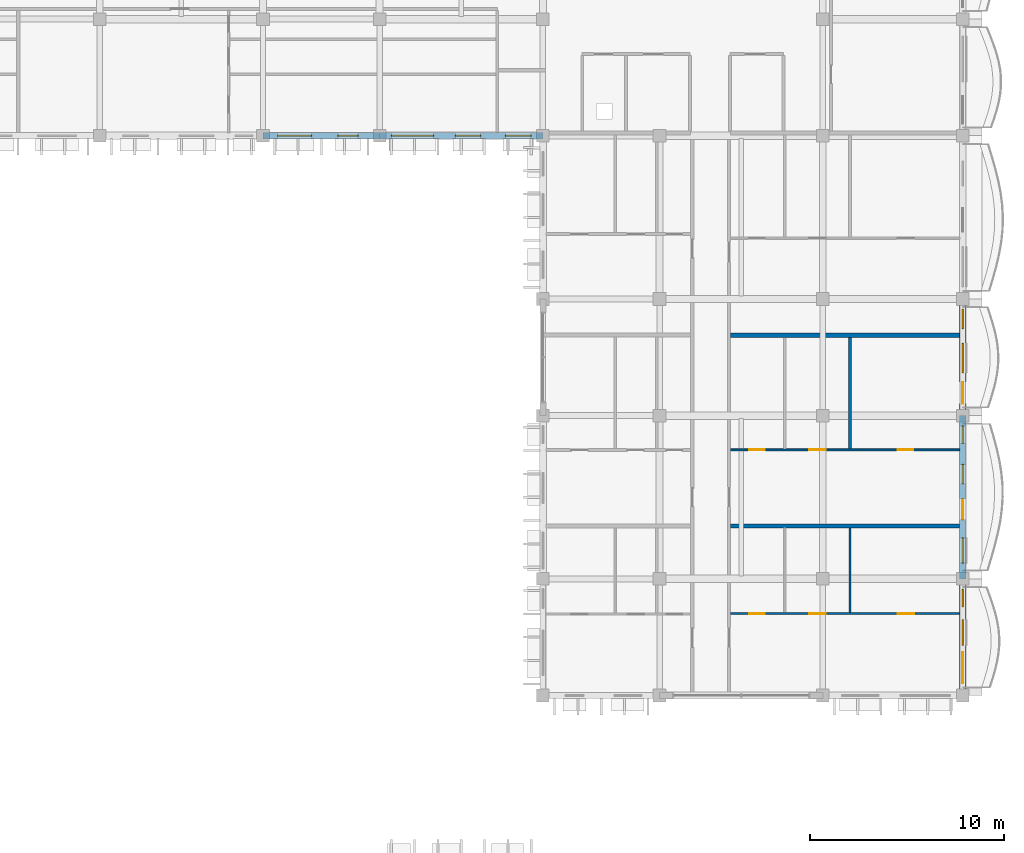
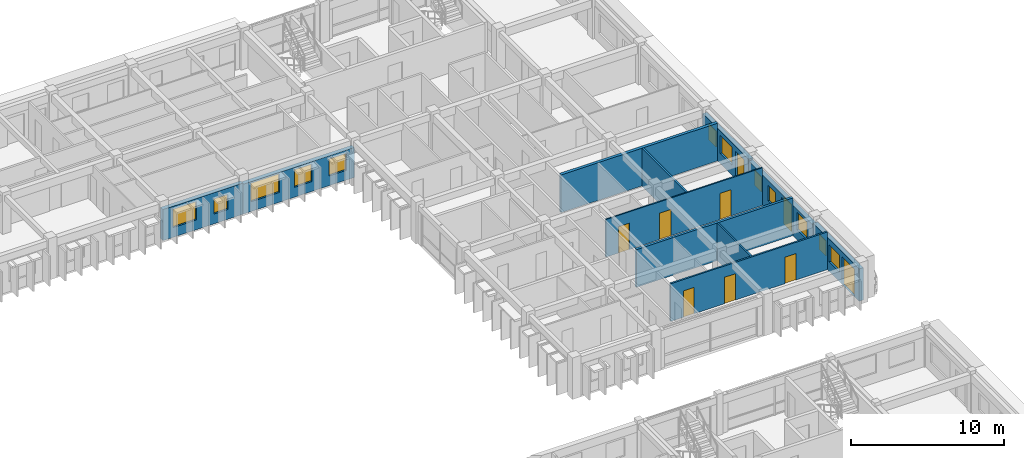
# One storey, part 44 of 76: 12 windows, 11 walls, 9 doors, 21 openings.
"""IFC4 building model written with IfcOpenShell, lengths in metres."""

from ifc_helpers import new_model, si_unit, direction, frame, frame_2d, origin, place, context, subcontext, project, spatial, rectangle, extrude, material, layer, layer_set, type_object, element, fill, save


model = new_model("IFC4")

# Units and contexts
model_context = context("Model", 3, precision=1e-05, world=origin(), true_north=direction((0.0, 1.0)))
body_context = subcontext(model_context, "Body", "Model", "MODEL_VIEW")
ifc_project = project(units=[si_unit("LENGTHUNIT", "METRE"), si_unit("AREAUNIT", "SQUARE_METRE"), si_unit("VOLUMEUNIT", "CUBIC_METRE"), si_unit("PLANEANGLEUNIT", "RADIAN"), si_unit("MASSUNIT", "GRAM", prefix="KILO"), si_unit("THERMODYNAMICTEMPERATUREUNIT", "KELVIN")], contexts=[model_context])

# Site, building, storey
site_placement = place(None, origin())
site = spatial("IfcSite", under=ifc_project, at=site_placement, CompositionType="ELEMENT")
building_placement = place(site_placement, origin())
building = spatial("IfcBuilding", under=site, at=building_placement, Name="Thalorik Housing Commons", CompositionType="ELEMENT")
storey_placement = place(building_placement, frame((0.0, 0.0, 18.0)))
storey = spatial("IfcBuildingStorey", under=building, at=storey_placement, Name="L05", CompositionType="ELEMENT", Elevation=18.0)

# Wall, openings, windows
ifc_material_1 = material(Name="White precast concrete C40/50", Category="concrete")
ifc_layer_1 = layer(ifc_material_1, 0.320068359375, Name="White precast concrete C40/50", Category="concrete")
ifc_layer_set_1 = layer_set([ifc_layer_1], Name="White precast concrete C40/50")
wall_type_1 = type_object("IfcWallType", Name="ARC-WAL-EXT-320", PredefinedType="STANDARD", material=ifc_layer_set_1)
wall_1_placement = place(storey_placement, frame((138.0, 109.199951171875, 0.0), z_axis=(0.0, 0.0, 1.0), x_axis=(1.0, 0.0, 0.0)))
wall_1 = element("IfcWall", 1, at=wall_1_placement, inside=storey, type_object=wall_type_1, Name="L05 Exterior Wall WAL-EXT-L05-B-0584", PredefinedType="STANDARD", context=body_context, shape_type="SweptSolid", body=[
    extrude(rectangle(XDim=6.0, YDim=0.320068359375, at=frame_2d((3.0, 0.0))), origin(), (0.0, 0.0, 1.0), 2.47509765625),
])
opening_1_placement = place(wall_1_placement, frame((0.7548828125, 0.0, 0.780029296875)))
opening_1 = element("IfcOpeningElement", 2, at=opening_1_placement, cuts=wall_1, Name="Opening W-17", PredefinedType="OPENING", context=body_context, shape_type="SweptSolid", body=[
    extrude(rectangle(XDim=1.75, YDim=1.449951171875, at=frame_2d((0.875, 0.72509765625))), frame((0.0, 0.169921875, 0.0), z_axis=(0.0, -1.0, 0.0), x_axis=(1.0, 0.0, 0.0)), (0.0, 0.0, 1.0), 0.340087890625),
])
opening_2_placement = place(wall_1_placement, frame((3.844970703125, 0.0, 0.780029296875)))
opening_2 = element("IfcOpeningElement", 3, at=opening_2_placement, cuts=wall_1, Name="Opening W-44", PredefinedType="OPENING", context=body_context, shape_type="SweptSolid", body=[
    extrude(rectangle(XDim=1.050048828125, YDim=1.199951171875, at=frame_2d((0.52490234375, 0.60009765625))), frame((0.0, 0.169921875, 0.0), z_axis=(0.0, -1.0, 0.0), x_axis=(1.0, 0.0, 0.0)), (0.0, 0.0, 1.0), 0.340087890625),
])
ifc_material_2 = material(Name="Anodised aluminium and solar-control low-E glass", Category="aluminium")
window_type_1 = type_object("IfcWindowType", Name="ARC-WIN-17", PartitioningType="DOUBLE_PANEL_VERTICAL", PredefinedType="WINDOW", material=ifc_material_2)
window_1_placement = place(opening_1_placement, origin())
window_1 = element("IfcWindow", 4, at=window_1_placement, inside=storey, type_object=window_type_1, Name="L05 Facade Window 1059", OverallHeight=1.449951171875, OverallWidth=1.75, PartitioningType="DOUBLE_PANEL_VERTICAL", PredefinedType="WINDOW", context=body_context, shape_type="SweptSolid", body=[
    extrude(rectangle(XDim=1.75, YDim=1.449951171875, at=frame_2d((0.875, 0.72509765625))), frame((0.0, 0.030029296875, 0.0), z_axis=(0.0, -1.0, 0.0), x_axis=(1.0, 0.0, 0.0)), (0.0, 0.0, 1.0), 0.06005859375),
])
fill(opening_1, window_1)
window_type_2 = type_object("IfcWindowType", Name="ARC-WIN-44", PartitioningType="SINGLE_PANEL", PredefinedType="WINDOW", material=ifc_material_2)
window_2_placement = place(opening_2_placement, origin())
window_2 = element("IfcWindow", 5, at=window_2_placement, inside=storey, type_object=window_type_2, Name="L05 Facade Window 1060", OverallHeight=1.199951171875, OverallWidth=1.050048828125, PartitioningType="SINGLE_PANEL", PredefinedType="WINDOW", context=body_context, shape_type="SweptSolid", body=[
    extrude(rectangle(XDim=1.050048828125, YDim=1.199951171875, at=frame_2d((0.52490234375, 0.60009765625))), frame((0.0, 0.030029296875, 0.0), z_axis=(0.0, -1.0, 0.0), x_axis=(1.0, 0.0, 0.0)), (0.0, 0.0, 1.0), 0.06005859375),
])
fill(opening_2, window_2)

wall_2_placement = place(storey_placement, frame((144.0, 109.199951171875, 0.0), z_axis=(0.0, 0.0, 1.0), x_axis=(1.0, 0.0, 0.0)))
wall_2 = element("IfcWall", 6, at=wall_2_placement, inside=storey, type_object=wall_type_1, Name="L05 Exterior Wall WAL-EXT-L05-B-0585", PredefinedType="STANDARD", context=body_context, shape_type="SweptSolid", body=[
    extrude(rectangle(XDim=8.39990234375, YDim=0.320068359375, at=frame_2d((4.199951171875, 0.0))), origin(), (0.0, 0.0, 1.0), 2.375),
])
opening_3_placement = place(wall_2_placement, frame((0.60009765625, 0.0, 0.780029296875)))
opening_3 = element("IfcOpeningElement", 7, at=opening_3_placement, cuts=wall_2, Name="Opening W-65", PredefinedType="OPENING", context=body_context, shape_type="SweptSolid", body=[
    extrude(rectangle(XDim=2.179931640625, YDim=1.47998046875, at=frame_2d((1.08984375, 0.739990234375))), frame((0.0, 0.169921875, 0.0), z_axis=(0.0, -1.0, 0.0), x_axis=(1.0, 0.0, 0.0)), (0.0, 0.0, 1.0), 0.340087890625),
])
opening_4_placement = place(wall_2_placement, frame((3.89990234375, 0.0, 0.780029296875)))
opening_4 = element("IfcOpeningElement", 8, at=opening_4_placement, cuts=wall_2, Name="Opening W-06", PredefinedType="OPENING", context=body_context, shape_type="SweptSolid", body=[
    extrude(rectangle(XDim=1.300048828125, YDim=1.39990234375, at=frame_2d((0.64990234375, 0.699951171875))), frame((0.0, 0.169921875, 0.0), z_axis=(0.0, -1.0, 0.0), x_axis=(1.0, 0.0, 0.0)), (0.0, 0.0, 1.0), 0.340087890625),
])
opening_5_placement = place(wall_2_placement, frame((6.469970703125, 0.0, 0.780029296875)))
opening_5 = element("IfcOpeningElement", 9, at=opening_5_placement, cuts=wall_2, Name="Opening W-48", PredefinedType="OPENING", context=body_context, shape_type="SweptSolid", body=[
    extrude(rectangle(XDim=1.320068359375, YDim=1.35009765625, at=frame_2d((0.66015625, 0.675048828125))), frame((0.0, 0.169921875, 0.0), z_axis=(0.0, -1.0, 0.0), x_axis=(1.0, 0.0, 0.0)), (0.0, 0.0, 1.0), 0.340087890625),
])
window_type_3 = type_object("IfcWindowType", Name="ARC-WIN-06", PartitioningType="SINGLE_PANEL", PredefinedType="WINDOW", material=ifc_material_2)
window_3_placement = place(opening_4_placement, origin())
window_3 = element("IfcWindow", 10, at=window_3_placement, inside=storey, type_object=window_type_3, Name="L05 Facade Window 1062", OverallHeight=1.39990234375, OverallWidth=1.300048828125, PartitioningType="SINGLE_PANEL", PredefinedType="WINDOW", context=body_context, shape_type="SweptSolid", body=[
    extrude(rectangle(XDim=1.300048828125, YDim=1.39990234375, at=frame_2d((0.64990234375, 0.699951171875))), frame((0.0, 0.030029296875, 0.0), z_axis=(0.0, -1.0, 0.0), x_axis=(1.0, 0.0, 0.0)), (0.0, 0.0, 1.0), 0.06005859375),
])
fill(opening_4, window_3)
window_type_4 = type_object("IfcWindowType", Name="ARC-WIN-48", PartitioningType="SINGLE_PANEL", PredefinedType="WINDOW", material=ifc_material_2)
window_4_placement = place(opening_5_placement, origin())
window_4 = element("IfcWindow", 11, at=window_4_placement, inside=storey, type_object=window_type_4, Name="L05 Facade Window 1063", OverallHeight=1.35009765625, OverallWidth=1.320068359375, PartitioningType="SINGLE_PANEL", PredefinedType="WINDOW", context=body_context, shape_type="SweptSolid", body=[
    extrude(rectangle(XDim=1.320068359375, YDim=1.35009765625, at=frame_2d((0.66015625, 0.675048828125))), frame((0.0, 0.030029296875, 0.0), z_axis=(0.0, -1.0, 0.0), x_axis=(1.0, 0.0, 0.0)), (0.0, 0.0, 1.0), 0.06005859375),
])
fill(opening_5, window_4)
window_type_5 = type_object("IfcWindowType", Name="ARC-WIN-65", PartitioningType="DOUBLE_PANEL_VERTICAL", PredefinedType="WINDOW", material=ifc_material_2)
window_5_placement = place(opening_3_placement, origin())
window_5 = element("IfcWindow", 12, at=window_5_placement, inside=storey, type_object=window_type_5, Name="L05 Facade Window 1061", OverallHeight=1.47998046875, OverallWidth=2.179931640625, PartitioningType="DOUBLE_PANEL_VERTICAL", PredefinedType="WINDOW", context=body_context, shape_type="SweptSolid", body=[
    extrude(rectangle(XDim=2.179931640625, YDim=1.47998046875, at=frame_2d((1.08984375, 0.739990234375))), frame((0.0, 0.030029296875, 0.0), z_axis=(0.0, -1.0, 0.0), x_axis=(1.0, 0.0, 0.0)), (0.0, 0.0, 1.0), 0.06005859375),
])
fill(opening_3, window_5)

# Wall, openings, door, windows
wall_3_placement = place(storey_placement, frame((174.0, 80.39990234375, 0.0), z_axis=(0.0, 0.0, 1.0), x_axis=(0.0, 1.0, 0.0)))
wall_3 = element("IfcWall", 13, at=wall_3_placement, inside=storey, type_object=wall_type_1, Name="L05 Exterior Wall WAL-EXT-L05-B-0593", PredefinedType="STANDARD", context=body_context, shape_type="SweptSolid", body=[
    extrude(rectangle(XDim=6.0, YDim=0.320068359375, at=frame_2d((3.0, 0.0))), origin(), (0.0, 0.0, 1.0), 2.574951171875),
])
opening_6_placement = place(wall_3_placement, frame((0.6201171875, 0.0, 0.0)))
opening_6 = element("IfcOpeningElement", 14, at=opening_6_placement, cuts=wall_3, Name="Opening ED-0187", PredefinedType="OPENING", context=body_context, shape_type="SweptSolid", body=[
    extrude(rectangle(XDim=1.60009765625, YDim=2.199951171875, at=frame_2d((0.800048828125, 1.10009765625))), frame((0.0, 0.169921875, 0.0), z_axis=(0.0, -1.0, 0.0), x_axis=(1.0, 0.0, 0.0)), (0.0, 0.0, 1.0), 0.340087890625),
])
opening_7_placement = place(wall_3_placement, frame((2.58349609375, 0.0, 0.780029296875)))
opening_7 = element("IfcOpeningElement", 15, at=opening_7_placement, cuts=wall_3, Name="Opening W-48", PredefinedType="OPENING", context=body_context, shape_type="SweptSolid", body=[
    extrude(rectangle(XDim=1.320068359375, YDim=1.35009765625, at=frame_2d((0.66015625, 0.675048828125))), frame((0.0, 0.169921875, 0.0), z_axis=(0.0, -1.0, 0.0), x_axis=(1.0, 0.0, 0.0)), (0.0, 0.0, 1.0), 0.340087890625),
])
opening_8_placement = place(wall_3_placement, frame((4.5634765625, 0.0, 0.780029296875)))
opening_8 = element("IfcOpeningElement", 16, at=opening_8_placement, cuts=wall_3, Name="Opening W-01", PredefinedType="OPENING", context=body_context, shape_type="SweptSolid", body=[
    extrude(rectangle(XDim=0.89990234375, YDim=1.199951171875, at=frame_2d((0.449951171875, 0.60009765625))), frame((0.0, 0.169921875, 0.0), z_axis=(0.0, -1.0, 0.0), x_axis=(1.0, 0.0, 0.0)), (0.0, 0.0, 1.0), 0.340087890625),
])
ifc_material_3 = material(Name="Anodised aluminium and laminated safety glass", Category="aluminium")
door_type_1 = type_object("IfcDoorType", Name="ARC-DR-BAL-1600", OperationType="NOTDEFINED", PredefinedType="DOOR", material=ifc_material_3)
door_1_placement = place(opening_6_placement, frame((1.60009765625, 0.0, 0.0), z_axis=(0.0, 0.0, 1.0), x_axis=(-1.0, 0.0, 0.0)))
door_1 = element("IfcDoor", 17, at=door_1_placement, inside=storey, type_object=door_type_1, Name="L05 Block B Balcony Glazed Door", OperationType="SLIDING_TO_LEFT", OverallHeight=2.199951171875, OverallWidth=1.60009765625, PredefinedType="DOOR", context=body_context, shape_type="SweptSolid", body=[
    extrude(rectangle(XDim=1.60009765625, YDim=2.199951171875, at=frame_2d((0.800048828125, 1.10009765625))), frame((0.0, 0.02490234375, 0.0), z_axis=(0.0, -1.0, 0.0), x_axis=(1.0, 0.0, 0.0)), (0.0, 0.0, 1.0), 0.050048828125),
])
fill(opening_6, door_1)
window_type_6 = type_object("IfcWindowType", Name="ARC-WIN-01", PartitioningType="SINGLE_PANEL", PredefinedType="WINDOW", material=ifc_material_2)
window_6_placement = place(opening_8_placement, origin())
window_6 = element("IfcWindow", 18, at=window_6_placement, inside=storey, type_object=window_type_6, Name="L05 Facade Window 1077", OverallHeight=1.199951171875, OverallWidth=0.89990234375, PartitioningType="SINGLE_PANEL", PredefinedType="WINDOW", context=body_context, shape_type="SweptSolid", body=[
    extrude(rectangle(XDim=0.89990234375, YDim=1.199951171875, at=frame_2d((0.449951171875, 0.60009765625))), frame((0.0, 0.030029296875, 0.0), z_axis=(0.0, -1.0, 0.0), x_axis=(1.0, 0.0, 0.0)), (0.0, 0.0, 1.0), 0.06005859375),
])
fill(opening_8, window_6)
window_7_placement = place(opening_7_placement, origin())
window_7 = element("IfcWindow", 19, at=window_7_placement, inside=storey, type_object=window_type_4, Name="L05 Facade Window 1076", OverallHeight=1.35009765625, OverallWidth=1.320068359375, PartitioningType="SINGLE_PANEL", PredefinedType="WINDOW", context=body_context, shape_type="SweptSolid", body=[
    extrude(rectangle(XDim=1.320068359375, YDim=1.35009765625, at=frame_2d((0.66015625, 0.675048828125))), frame((0.0, 0.030029296875, 0.0), z_axis=(0.0, -1.0, 0.0), x_axis=(1.0, 0.0, 0.0)), (0.0, 0.0, 1.0), 0.06005859375),
])
fill(opening_7, window_7)

wall_4_placement = place(storey_placement, frame((174.0, 86.39990234375, 0.0), z_axis=(0.0, 0.0, 1.0), x_axis=(0.0, 1.0, 0.0)))
wall_4 = element("IfcWall", 20, at=wall_4_placement, inside=storey, type_object=wall_type_1, Name="L05 Exterior Wall WAL-EXT-L05-B-0594", PredefinedType="STANDARD", context=body_context, shape_type="SweptSolid", body=[
    extrude(rectangle(XDim=8.400146484375, YDim=0.320068359375, at=frame_2d((4.2001953125, 0.0))), origin(), (0.0, 0.0, 1.0), 2.425048828125),
])
opening_9_placement = place(wall_4_placement, frame((3.050048828125, 0.0, 0.0)))
opening_9 = element("IfcOpeningElement", 21, at=opening_9_placement, cuts=wall_4, Name="Opening ED-0188", PredefinedType="OPENING", context=body_context, shape_type="SweptSolid", body=[
    extrude(rectangle(XDim=1.050048828125, YDim=2.14990234375, at=frame_2d((0.52490234375, 1.074951171875))), frame((0.0, 0.169921875, 0.0), z_axis=(0.0, -1.0, 0.0), x_axis=(1.0, 0.0, 0.0)), (0.0, 0.0, 1.0), 0.340087890625),
])
opening_10_placement = place(wall_4_placement, frame((0.804931640625, 0.0, 0.780029296875)))
opening_10 = element("IfcOpeningElement", 22, at=opening_10_placement, cuts=wall_4, Name="Opening W-06", PredefinedType="OPENING", context=body_context, shape_type="SweptSolid", body=[
    extrude(rectangle(XDim=1.300048828125, YDim=1.39990234375, at=frame_2d((0.64990234375, 0.699951171875))), frame((0.0, 0.169921875, 0.0), z_axis=(0.0, -1.0, 0.0), x_axis=(1.0, 0.0, 0.0)), (0.0, 0.0, 1.0), 0.340087890625),
])
opening_11_placement = place(wall_4_placement, frame((4.891845703125, 0.0, 0.780029296875)))
opening_11 = element("IfcOpeningElement", 23, at=opening_11_placement, cuts=wall_4, Name="Opening W-02", PredefinedType="OPENING", context=body_context, shape_type="SweptSolid", body=[
    extrude(rectangle(XDim=1.0, YDim=1.25, at=frame_2d((0.5, 0.625))), frame((0.0, 0.169921875, 0.0), z_axis=(0.0, -1.0, 0.0), x_axis=(1.0, 0.0, 0.0)), (0.0, 0.0, 1.0), 0.340087890625),
])
opening_12_placement = place(wall_4_placement, frame((6.9716796875, 0.0, 0.780029296875)))
opening_12 = element("IfcOpeningElement", 24, at=opening_12_placement, cuts=wall_4, Name="Opening W-01", PredefinedType="OPENING", context=body_context, shape_type="SweptSolid", body=[
    extrude(rectangle(XDim=0.89990234375, YDim=1.199951171875, at=frame_2d((0.449951171875, 0.60009765625))), frame((0.0, 0.169921875, 0.0), z_axis=(0.0, -1.0, 0.0), x_axis=(1.0, 0.0, 0.0)), (0.0, 0.0, 1.0), 0.340087890625),
])
door_type_2 = type_object("IfcDoorType", Name="ARC-DR-BAL-1050", OperationType="NOTDEFINED", PredefinedType="DOOR", material=ifc_material_3)
door_2_placement = place(opening_9_placement, frame((1.050048828125, 0.0, 0.0), z_axis=(0.0, 0.0, 1.0), x_axis=(-1.0, 0.0, 0.0)))
door_2 = element("IfcDoor", 25, at=door_2_placement, inside=storey, type_object=door_type_2, Name="L05 Block B Balcony Glazed Door", OperationType="SINGLE_SWING_LEFT", OverallHeight=2.14990234375, OverallWidth=1.050048828125, PredefinedType="DOOR", context=body_context, shape_type="SweptSolid", body=[
    extrude(rectangle(XDim=1.050048828125, YDim=2.14990234375, at=frame_2d((0.52490234375, 1.074951171875))), frame((0.0, 0.02490234375, 0.0), z_axis=(0.0, -1.0, 0.0), x_axis=(1.0, 0.0, 0.0)), (0.0, 0.0, 1.0), 0.050048828125),
])
fill(opening_9, door_2)
window_8_placement = place(opening_12_placement, origin())
window_8 = element("IfcWindow", 26, at=window_8_placement, inside=storey, type_object=window_type_6, Name="L05 Facade Window 1080", OverallHeight=1.199951171875, OverallWidth=0.89990234375, PartitioningType="SINGLE_PANEL", PredefinedType="WINDOW", context=body_context, shape_type="SweptSolid", body=[
    extrude(rectangle(XDim=0.89990234375, YDim=1.199951171875, at=frame_2d((0.449951171875, 0.60009765625))), frame((0.0, 0.030029296875, 0.0), z_axis=(0.0, -1.0, 0.0), x_axis=(1.0, 0.0, 0.0)), (0.0, 0.0, 1.0), 0.06005859375),
])
fill(opening_12, window_8)
window_type_7 = type_object("IfcWindowType", Name="ARC-WIN-02", PartitioningType="SINGLE_PANEL", PredefinedType="WINDOW", material=ifc_material_2)
window_9_placement = place(opening_11_placement, origin())
window_9 = element("IfcWindow", 27, at=window_9_placement, inside=storey, type_object=window_type_7, Name="L05 Facade Window 1079", OverallHeight=1.25, OverallWidth=1.0, PartitioningType="SINGLE_PANEL", PredefinedType="WINDOW", context=body_context, shape_type="SweptSolid", body=[
    extrude(rectangle(XDim=1.0, YDim=1.25, at=frame_2d((0.5, 0.625))), frame((0.0, 0.030029296875, 0.0), z_axis=(0.0, -1.0, 0.0), x_axis=(1.0, 0.0, 0.0)), (0.0, 0.0, 1.0), 0.06005859375),
])
fill(opening_11, window_9)
window_10_placement = place(opening_10_placement, origin())
window_10 = element("IfcWindow", 28, at=window_10_placement, inside=storey, type_object=window_type_3, Name="L05 Facade Window 1078", OverallHeight=1.39990234375, OverallWidth=1.300048828125, PartitioningType="SINGLE_PANEL", PredefinedType="WINDOW", context=body_context, shape_type="SweptSolid", body=[
    extrude(rectangle(XDim=1.300048828125, YDim=1.39990234375, at=frame_2d((0.64990234375, 0.699951171875))), frame((0.0, 0.030029296875, 0.0), z_axis=(0.0, -1.0, 0.0), x_axis=(1.0, 0.0, 0.0)), (0.0, 0.0, 1.0), 0.06005859375),
])
fill(opening_10, window_10)

wall_5_placement = place(storey_placement, frame((174.0, 94.800048828125, 0.0), z_axis=(0.0, 0.0, 1.0), x_axis=(0.0, 1.0, 0.0)))
wall_5 = element("IfcWall", 29, at=wall_5_placement, inside=storey, type_object=wall_type_1, Name="L05 Exterior Wall WAL-EXT-L05-B-0595", PredefinedType="STANDARD", context=body_context, shape_type="SweptSolid", body=[
    extrude(rectangle(XDim=6.0, YDim=0.320068359375, at=frame_2d((3.0, 0.0))), origin(), (0.0, 0.0, 1.0), 2.574951171875),
])
opening_13_placement = place(wall_5_placement, frame((0.6201171875, 0.0, 0.0)))
opening_13 = element("IfcOpeningElement", 30, at=opening_13_placement, cuts=wall_5, Name="Opening ED-0189", PredefinedType="OPENING", context=body_context, shape_type="SweptSolid", body=[
    extrude(rectangle(XDim=1.10009765625, YDim=2.14990234375, at=frame_2d((0.550048828125, 1.074951171875))), frame((0.0, 0.169921875, 0.0), z_axis=(0.0, -1.0, 0.0), x_axis=(1.0, 0.0, 0.0)), (0.0, 0.0, 1.0), 0.340087890625),
])
opening_14_placement = place(wall_5_placement, frame((2.195068359375, 0.0, 0.780029296875)))
opening_14 = element("IfcOpeningElement", 31, at=opening_14_placement, cuts=wall_5, Name="Opening W-52", PredefinedType="OPENING", context=body_context, shape_type="SweptSolid", body=[
    extrude(rectangle(XDim=1.52001953125, YDim=1.419921875, at=frame_2d((0.760009765625, 0.7099609375))), frame((0.0, 0.169921875, 0.0), z_axis=(0.0, -1.0, 0.0), x_axis=(1.0, 0.0, 0.0)), (0.0, 0.0, 1.0), 0.340087890625),
])
opening_15_placement = place(wall_5_placement, frame((4.47509765625, 0.0, 0.780029296875)))
opening_15 = element("IfcOpeningElement", 32, at=opening_15_placement, cuts=wall_5, Name="Opening W-02", PredefinedType="OPENING", context=body_context, shape_type="SweptSolid", body=[
    extrude(rectangle(XDim=1.0, YDim=1.25, at=frame_2d((0.5, 0.625))), frame((0.0, 0.169921875, 0.0), z_axis=(0.0, -1.0, 0.0), x_axis=(1.0, 0.0, 0.0)), (0.0, 0.0, 1.0), 0.340087890625),
])
door_type_3 = type_object("IfcDoorType", Name="ARC-DR-BAL-1100", OperationType="NOTDEFINED", PredefinedType="DOOR", material=ifc_material_3)
door_3_placement = place(opening_13_placement, frame((1.10009765625, 0.0, 0.0), z_axis=(0.0, 0.0, 1.0), x_axis=(-1.0, 0.0, 0.0)))
door_3 = element("IfcDoor", 33, at=door_3_placement, inside=storey, type_object=door_type_3, Name="L05 Block B Balcony Glazed Door", OperationType="SINGLE_SWING_RIGHT", OverallHeight=2.14990234375, OverallWidth=1.10009765625, PredefinedType="DOOR", context=body_context, shape_type="SweptSolid", body=[
    extrude(rectangle(XDim=1.10009765625, YDim=2.14990234375, at=frame_2d((0.550048828125, 1.074951171875))), frame((0.0, 0.02490234375, 0.0), z_axis=(0.0, -1.0, 0.0), x_axis=(1.0, 0.0, 0.0)), (0.0, 0.0, 1.0), 0.050048828125),
])
fill(opening_13, door_3)
window_11_placement = place(opening_15_placement, origin())
window_11 = element("IfcWindow", 34, at=window_11_placement, inside=storey, type_object=window_type_7, Name="L05 Facade Window 1082", OverallHeight=1.25, OverallWidth=1.0, PartitioningType="SINGLE_PANEL", PredefinedType="WINDOW", context=body_context, shape_type="SweptSolid", body=[
    extrude(rectangle(XDim=1.0, YDim=1.25, at=frame_2d((0.5, 0.625))), frame((0.0, 0.030029296875, 0.0), z_axis=(0.0, -1.0, 0.0), x_axis=(1.0, 0.0, 0.0)), (0.0, 0.0, 1.0), 0.06005859375),
])
fill(opening_15, window_11)
window_type_8 = type_object("IfcWindowType", Name="ARC-WIN-52", PartitioningType="SINGLE_PANEL", PredefinedType="WINDOW", material=ifc_material_2)
window_12_placement = place(opening_14_placement, origin())
window_12 = element("IfcWindow", 35, at=window_12_placement, inside=storey, type_object=window_type_8, Name="L05 Facade Window 1081", OverallHeight=1.419921875, OverallWidth=1.52001953125, PartitioningType="SINGLE_PANEL", PredefinedType="WINDOW", context=body_context, shape_type="SweptSolid", body=[
    extrude(rectangle(XDim=1.52001953125, YDim=1.419921875, at=frame_2d((0.760009765625, 0.7099609375))), frame((0.0, 0.030029296875, 0.0), z_axis=(0.0, -1.0, 0.0), x_axis=(1.0, 0.0, 0.0)), (0.0, 0.0, 1.0), 0.06005859375),
])
fill(opening_14, window_12)

# Wall, openings, doors
ifc_material_4 = material(Name="Gypsum light stud partition", Category="masonry")
ifc_layer_2 = layer(ifc_material_4, 0.10009765625, Name="Gypsum light stud partition", Category="masonry")
ifc_layer_set_2 = layer_set([ifc_layer_2], Name="Gypsum light stud partition")
wall_type_2 = type_object("IfcWallType", Name="ARC-WAL-PART-100", PredefinedType="PARTITIONING", material=ifc_layer_set_2)
wall_6_placement = place(storey_placement, frame((162.056884765625, 93.03369140625, 0.0), z_axis=(0.0, 0.0, 1.0), x_axis=(1.0, 0.0, 0.0)))
wall_6 = element("IfcWall", 36, at=wall_6_placement, inside=storey, type_object=wall_type_2, Name="L05 Unit 2B Spine Partition", PredefinedType="PARTITIONING", context=body_context, shape_type="SweptSolid", body=[
    extrude(rectangle(XDim=11.781005859375, YDim=0.10009765625, at=frame_2d((5.890625, 0.0))), origin(), (0.0, 0.0, 1.0), 3.0),
])
opening_16_placement = place(wall_6_placement, frame((0.958251953125, 0.0, 0.0)))
opening_16 = element("IfcOpeningElement", 37, at=opening_16_placement, cuts=wall_6, Name="Opening ID-1206", PredefinedType="OPENING", context=body_context, shape_type="SweptSolid", body=[
    extrude(rectangle(XDim=0.800048828125, YDim=2.10009765625, at=frame_2d((0.39990234375, 1.050048828125))), frame((0.0, 0.06005859375, 0.0), z_axis=(0.0, -1.0, 0.0), x_axis=(1.0, 0.0, 0.0)), (0.0, 0.0, 1.0), 0.1201171875),
])
opening_17_placement = place(wall_6_placement, frame((4.042724609375, 0.0, 0.0)))
opening_17 = element("IfcOpeningElement", 38, at=opening_17_placement, cuts=wall_6, Name="Opening ID-1207", PredefinedType="OPENING", context=body_context, shape_type="SweptSolid", body=[
    extrude(rectangle(XDim=0.85009765625, YDim=2.10009765625, at=frame_2d((0.425048828125, 1.050048828125))), frame((0.0, 0.06005859375, 0.0), z_axis=(0.0, -1.0, 0.0), x_axis=(1.0, 0.0, 0.0)), (0.0, 0.0, 1.0), 0.1201171875),
])
opening_18_placement = place(wall_6_placement, frame((8.587646484375, 0.0, 0.0)))
opening_18 = element("IfcOpeningElement", 39, at=opening_18_placement, cuts=wall_6, Name="Opening ID-1208", PredefinedType="OPENING", context=body_context, shape_type="SweptSolid", body=[
    extrude(rectangle(XDim=0.820068359375, YDim=2.080078125, at=frame_2d((0.41015625, 1.0400390625))), frame((0.0, 0.06005859375, 0.0), z_axis=(0.0, -1.0, 0.0), x_axis=(1.0, 0.0, 0.0)), (0.0, 0.0, 1.0), 0.1201171875),
])
ifc_material_5 = material(Name="Moisture-resistant timber", Category="wood")
door_type_4 = type_object("IfcDoorType", Name="ARC-DR-INT-800", OperationType="NOTDEFINED", PredefinedType="DOOR", material=ifc_material_5)
door_4_placement = place(opening_16_placement, origin())
door_4 = element("IfcDoor", 40, at=door_4_placement, inside=storey, type_object=door_type_4, Name="L05 Flat Bathroom Door", OperationType="SINGLE_SWING_LEFT", OverallHeight=2.10009765625, OverallWidth=0.800048828125, PredefinedType="DOOR", context=body_context, shape_type="SweptSolid", body=[
    extrude(rectangle(XDim=0.800048828125, YDim=2.10009765625, at=frame_2d((0.39990234375, 1.050048828125))), frame((0.0, 0.02490234375, 0.0), z_axis=(0.0, -1.0, 0.0), x_axis=(1.0, 0.0, 0.0)), (0.0, 0.0, 1.0), 0.050048828125),
])
fill(opening_16, door_4)
ifc_material_6 = material(Name="Engineered oak timber", Category="wood")
door_type_5 = type_object("IfcDoorType", Name="ARC-DR-INT-820", OperationType="NOTDEFINED", PredefinedType="DOOR", material=ifc_material_6)
door_5_placement = place(opening_18_placement, origin())
door_5 = element("IfcDoor", 41, at=door_5_placement, inside=storey, type_object=door_type_5, Name="L05 Master Bedroom Door", OperationType="SINGLE_SWING_LEFT", OverallHeight=2.080078125, OverallWidth=0.820068359375, PredefinedType="DOOR", context=body_context, shape_type="SweptSolid", body=[
    extrude(rectangle(XDim=0.820068359375, YDim=2.080078125, at=frame_2d((0.41015625, 1.0400390625))), frame((0.0, 0.02490234375, 0.0), z_axis=(0.0, -1.0, 0.0), x_axis=(1.0, 0.0, 0.0)), (0.0, 0.0, 1.0), 0.050048828125),
])
fill(opening_18, door_5)
door_type_6 = type_object("IfcDoorType", Name="ARC-DR-INT-850", OperationType="NOTDEFINED", PredefinedType="DOOR", material=ifc_material_6)
door_6_placement = place(opening_17_placement, origin())
door_6 = element("IfcDoor", 42, at=door_6_placement, inside=storey, type_object=door_type_6, Name="L05 Eat-In Kitchen Door", OperationType="SINGLE_SWING_RIGHT", OverallHeight=2.10009765625, OverallWidth=0.85009765625, PredefinedType="DOOR", context=body_context, shape_type="SweptSolid", body=[
    extrude(rectangle(XDim=0.85009765625, YDim=2.10009765625, at=frame_2d((0.425048828125, 1.050048828125))), frame((0.0, 0.02490234375, 0.0), z_axis=(0.0, -1.0, 0.0), x_axis=(1.0, 0.0, 0.0)), (0.0, 0.0, 1.0), 0.050048828125),
])
fill(opening_17, door_6)

# Wall
ifc_material_7 = material(Name="Gypsum moisture-resistant partition", Category="masonry")
ifc_layer_3 = layer(ifc_material_7, 0.114990234375, Name="Gypsum moisture-resistant partition", Category="masonry")
ifc_layer_set_3 = layer_set([ifc_layer_3], Name="Gypsum moisture-resistant partition")
wall_type_3 = type_object("IfcWallType", Name="ARC-WAL-PART-115", PredefinedType="PARTITIONING", material=ifc_layer_set_3)
wall_7_placement = place(storey_placement, frame((168.19921875, 84.681396484375, 0.0), z_axis=(0.0, 0.0, 1.0), x_axis=(0.0, 1.0, 0.0)))
element("IfcWall", 43, at=wall_7_placement, inside=storey, type_object=wall_type_3, Name="L05 Unit 1B Bedroom Partition", PredefinedType="PARTITIONING", context=body_context, shape_type="SweptSolid", body=[
    extrude(rectangle(XDim=4.343994140625, YDim=0.114990234375, at=frame_2d((2.171875, 0.0))), origin(), (0.0, 0.0, 1.0), 3.0),
])

# Wall, openings, doors
ifc_material_8 = material(Name="Gypsum acoustic stud partition", Category="masonry")
ifc_layer_4 = layer(ifc_material_8, 0.125, Name="Gypsum acoustic stud partition", Category="masonry")
ifc_layer_set_4 = layer_set([ifc_layer_4], Name="Gypsum acoustic stud partition")
wall_type_4 = type_object("IfcWallType", Name="ARC-WAL-PART-125", PredefinedType="PARTITIONING", material=ifc_layer_set_4)
wall_8_placement = place(storey_placement, frame((162.056884765625, 84.61669921875, 0.0), z_axis=(0.0, 0.0, 1.0), x_axis=(1.0, 0.0, 0.0)))
wall_8 = element("IfcWall", 44, at=wall_8_placement, inside=storey, type_object=wall_type_4, Name="L05 Unit 1B Spine Partition", PredefinedType="PARTITIONING", context=body_context, shape_type="SweptSolid", body=[
    extrude(rectangle(XDim=11.781005859375, YDim=0.125, at=frame_2d((5.890625, 0.0))), origin(), (0.0, 0.0, 1.0), 3.0),
])
opening_19_placement = place(wall_8_placement, frame((0.958251953125, 0.0, 0.0)))
opening_19 = element("IfcOpeningElement", 45, at=opening_19_placement, cuts=wall_8, Name="Opening ID-1200", PredefinedType="OPENING", context=body_context, shape_type="SweptSolid", body=[
    extrude(rectangle(XDim=0.800048828125, YDim=2.10009765625, at=frame_2d((0.39990234375, 1.050048828125))), frame((0.0, 0.072509765625, 0.0), z_axis=(0.0, -1.0, 0.0), x_axis=(1.0, 0.0, 0.0)), (0.0, 0.0, 1.0), 0.14501953125),
])
opening_20_placement = place(wall_8_placement, frame((4.042724609375, 0.0, 0.0)))
opening_20 = element("IfcOpeningElement", 46, at=opening_20_placement, cuts=wall_8, Name="Opening ID-1201", PredefinedType="OPENING", context=body_context, shape_type="SweptSolid", body=[
    extrude(rectangle(XDim=0.85009765625, YDim=2.10009765625, at=frame_2d((0.425048828125, 1.050048828125))), frame((0.0, 0.072509765625, 0.0), z_axis=(0.0, -1.0, 0.0), x_axis=(1.0, 0.0, 0.0)), (0.0, 0.0, 1.0), 0.14501953125),
])
opening_21_placement = place(wall_8_placement, frame((8.587646484375, 0.0, 0.0)))
opening_21 = element("IfcOpeningElement", 47, at=opening_21_placement, cuts=wall_8, Name="Opening ID-1202", PredefinedType="OPENING", context=body_context, shape_type="SweptSolid", body=[
    extrude(rectangle(XDim=0.85009765625, YDim=2.10009765625, at=frame_2d((0.425048828125, 1.050048828125))), frame((0.0, 0.072509765625, 0.0), z_axis=(0.0, -1.0, 0.0), x_axis=(1.0, 0.0, 0.0)), (0.0, 0.0, 1.0), 0.14501953125),
])
door_7_placement = place(opening_19_placement, origin())
door_7 = element("IfcDoor", 48, at=door_7_placement, inside=storey, type_object=door_type_4, Name="L05 Flat Bathroom Door", OperationType="SINGLE_SWING_LEFT", OverallHeight=2.10009765625, OverallWidth=0.800048828125, PredefinedType="DOOR", context=body_context, shape_type="SweptSolid", body=[
    extrude(rectangle(XDim=0.800048828125, YDim=2.10009765625, at=frame_2d((0.39990234375, 1.050048828125))), frame((0.0, 0.02490234375, 0.0), z_axis=(0.0, -1.0, 0.0), x_axis=(1.0, 0.0, 0.0)), (0.0, 0.0, 1.0), 0.050048828125),
])
fill(opening_19, door_7)
door_8_placement = place(opening_20_placement, origin())
door_8 = element("IfcDoor", 49, at=door_8_placement, inside=storey, type_object=door_type_6, Name="L05 Galley Kitchen Door", OperationType="SINGLE_SWING_RIGHT", OverallHeight=2.10009765625, OverallWidth=0.85009765625, PredefinedType="DOOR", context=body_context, shape_type="SweptSolid", body=[
    extrude(rectangle(XDim=0.85009765625, YDim=2.10009765625, at=frame_2d((0.425048828125, 1.050048828125))), frame((0.0, 0.02490234375, 0.0), z_axis=(0.0, -1.0, 0.0), x_axis=(1.0, 0.0, 0.0)), (0.0, 0.0, 1.0), 0.050048828125),
])
fill(opening_20, door_8)
door_9_placement = place(opening_21_placement, origin())
door_9 = element("IfcDoor", 50, at=door_9_placement, inside=storey, type_object=door_type_6, Name="L05 Master Bedroom Door", OperationType="SINGLE_SWING_LEFT", OverallHeight=2.10009765625, OverallWidth=0.85009765625, PredefinedType="DOOR", context=body_context, shape_type="SweptSolid", body=[
    extrude(rectangle(XDim=0.85009765625, YDim=2.10009765625, at=frame_2d((0.425048828125, 1.050048828125))), frame((0.0, 0.02490234375, 0.0), z_axis=(0.0, -1.0, 0.0), x_axis=(1.0, 0.0, 0.0)), (0.0, 0.0, 1.0), 0.050048828125),
])
fill(opening_21, door_9)

# Walls
ifc_material_9 = material(Name="Ceramic masonry partition wall", Category="masonry")
ifc_layer_5 = layer(ifc_material_9, 0.139892578125, Name="Ceramic masonry partition wall", Category="masonry")
ifc_layer_set_5 = layer_set([ifc_layer_5], Name="Ceramic masonry partition wall")
wall_type_5 = type_object("IfcWallType", Name="ARC-WAL-PART-140", PredefinedType="PARTITIONING", material=ifc_layer_set_5)
wall_9_placement = place(storey_placement, frame((168.19921875, 93.085693359375, 0.0), z_axis=(0.0, 0.0, 1.0), x_axis=(0.0, 1.0, 0.0)))
element("IfcWall", 51, at=wall_9_placement, inside=storey, type_object=wall_type_5, Name="L05 Unit 2B Bedroom Partition", PredefinedType="PARTITIONING", context=body_context, shape_type="SweptSolid", body=[
    extrude(rectangle(XDim=5.7421875, YDim=0.139892578125, at=frame_2d((2.87109375, 0.0))), origin(), (0.0, 0.0, 1.0), 3.0),
])
ifc_material_10 = material(Name="Masonry acoustic blockwork wall", Category="masonry")
ifc_layer_6 = layer(ifc_material_10, 0.18505859375, Name="Masonry acoustic blockwork wall", Category="masonry")
ifc_layer_set_6 = layer_set([ifc_layer_6], Name="Masonry acoustic blockwork wall")
wall_type_6 = type_object("IfcWallType", Name="ARC-WAL-PARTY-185", PredefinedType="PARTITIONING", material=ifc_layer_set_6)
wall_10_placement = place(storey_placement, frame((162.056884765625, 89.1201171875, 0.0), z_axis=(0.0, 0.0, 1.0), x_axis=(1.0, 0.0, 0.0)))
element("IfcWall", 52, at=wall_10_placement, inside=storey, type_object=wall_type_6, Name="L05 Inter-Tenancy Wall 1B", PredefinedType="PARTITIONING", context=body_context, shape_type="SweptSolid", body=[
    extrude(rectangle(XDim=11.781005859375, YDim=0.18505859375, at=frame_2d((5.890625, 0.0))), origin(), (0.0, 0.0, 1.0), 3.0),
])
ifc_material_11 = material(Name="Precast concrete C40/50 acoustic wall", Category="concrete")
ifc_layer_7 = layer(ifc_material_11, 0.219970703125, Name="Precast concrete C40/50 acoustic wall", Category="concrete")
ifc_layer_set_7 = layer_set([ifc_layer_7], Name="Precast concrete C40/50 acoustic wall")
wall_type_7 = type_object("IfcWallType", Name="ARC-WAL-PARTY-220", PredefinedType="PARTITIONING", material=ifc_layer_set_7)
wall_11_placement = place(storey_placement, frame((162.056884765625, 98.93994140625, 0.0), z_axis=(0.0, 0.0, 1.0), x_axis=(1.0, 0.0, 0.0)))
element("IfcWall", 53, at=wall_11_placement, inside=storey, type_object=wall_type_7, Name="L05 Inter-Tenancy Wall 2B", PredefinedType="PARTITIONING", context=body_context, shape_type="SweptSolid", body=[
    extrude(rectangle(XDim=11.781005859375, YDim=0.219970703125, at=frame_2d((5.890625, 0.0))), origin(), (0.0, 0.0, 1.0), 3.0),
])

save(model, "model.ifc")
